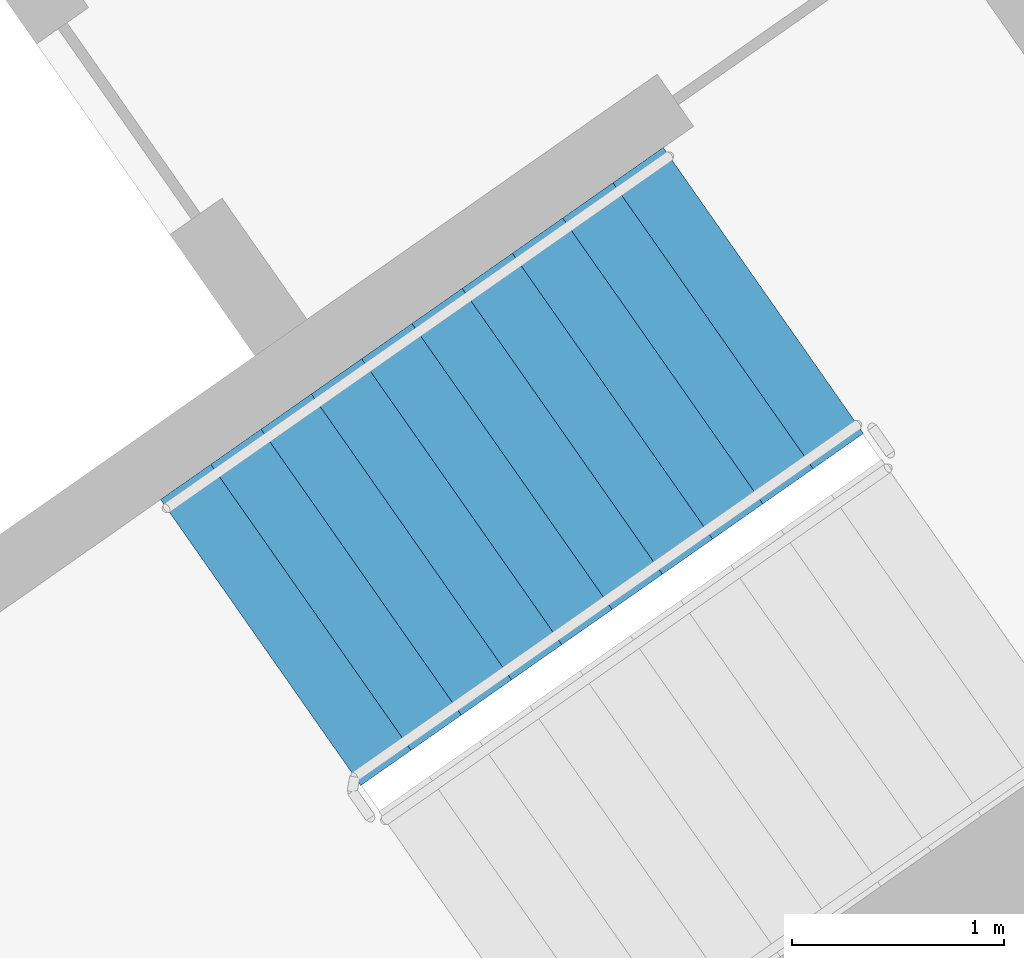
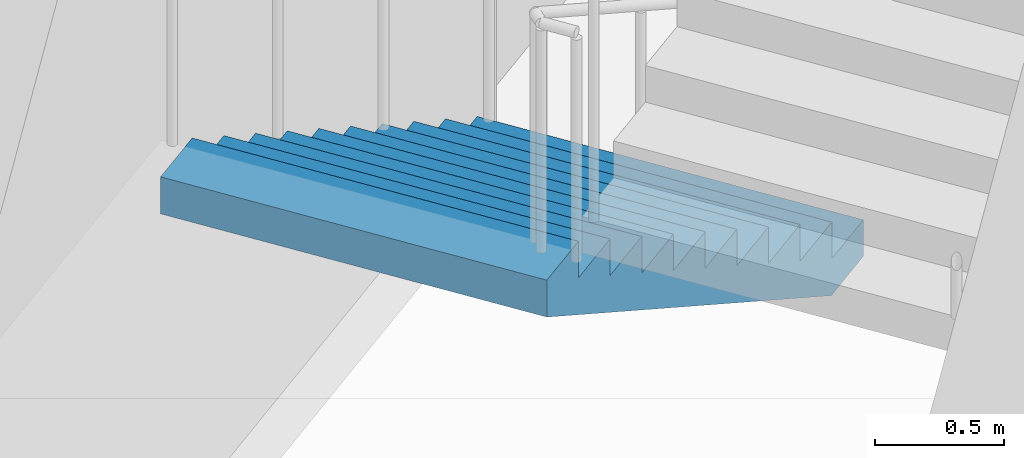
# One storey, part 17 of 30: 1 stair flight, 1 element without a shape of its own.
"""IFC4 building model written with IfcOpenShell, lengths in metres."""

from ifc_helpers import new_model, si_unit, direction, frame, origin, place, context, subcontext, project, spatial, faceted_brep, material, type_object, element, aggregate, save


model = new_model("IFC4")

# Units and contexts
model_context = context("Model", 3, precision=1e-05, world=origin(), true_north=direction((0.0, 1.0)))
body_context = subcontext(model_context, "Body", "Model", "MODEL_VIEW")
ifc_project = project(units=[si_unit("LENGTHUNIT", "METRE"), si_unit("AREAUNIT", "SQUARE_METRE"), si_unit("VOLUMEUNIT", "CUBIC_METRE"), si_unit("PLANEANGLEUNIT", "RADIAN"), si_unit("MASSUNIT", "GRAM", prefix="KILO")], contexts=[model_context])

# Site, building, storey
site_placement = place(None, origin())
site = spatial("IfcSite", under=ifc_project, at=site_placement, CompositionType="ELEMENT")
building_placement = place(site_placement, origin())
building = spatial("IfcBuilding", under=site, at=building_placement, Name="Qamariyya Broadcast Tower", CompositionType="ELEMENT")
storey_placement = place(building_placement, frame((0.0, 0.0, 102.5)))
storey = spatial("IfcBuildingStorey", under=building, at=storey_placement, Name="L22", CompositionType="ELEMENT", Elevation=102.5)

# Stair, stair flight
ifc_material = material(Name="Concrete C50/60", Category="concrete")
stair_type = type_object("IfcStairType", Name="Exit stair 22 risers of 173 mm", PredefinedType="HALF_TURN_STAIR", material=ifc_material)
stair_placement = place(storey_placement, origin())
stair = element("IfcStair", 1, at=stair_placement, inside=storey, type_object=stair_type, Name="L22 Stair E1", PredefinedType="HALF_TURN_STAIR")
stair_flight_type = type_object("IfcStairFlightType", Name="Exit stair flight 11 risers of 173 mm", PredefinedType="STRAIGHT", material=ifc_material)
stair_flight_placement = place(storey_placement, frame((46.036376953125, -55.508056640625, 0.0), z_axis=(0.0, 0.0, 1.0), x_axis=(-0.819152044289, -0.573576436351, 0.0)))
stair_flight = element("IfcStairFlight", 2, at=stair_flight_placement, type_object=stair_flight_type, Name="ST-E1 flight 1", NumberOfRisers=11, NumberOfTreads=10, PredefinedType="STRAIGHT", RiserHeight=0.172727273, TreadLength=0.29, context=body_context, shape_type="Brep", body=[
    faceted_brep([(0.0, 0.824951171875, 0.0), (0.0, 0.824951171875, 0.172607421875), (0.2900390625, 0.824951171875, 0.172607421875), (0.2900390625, 0.824951171875, 0.345458984375), (0.580078125, 0.824951171875, 0.345458984375), (0.580078125, 0.824951171875, 0.51806640625), (0.8701171875, 0.824951171875, 0.51806640625), (0.8701171875, 0.824951171875, 0.69091796875), (1.159912109375, 0.824951171875, 0.69091796875), (1.159912109375, 0.824951171875, 0.863525390625), (1.449951171875, 0.824951171875, 0.863525390625), (1.449951171875, 0.824951171875, 1.036376953125), (1.739990234375, 0.824951171875, 1.036376953125), (1.739990234375, 0.824951171875, 1.208984375), (2.030029296875, 0.824951171875, 1.208984375), (2.030029296875, 0.824951171875, 1.3818359375), (2.320068359375, 0.824951171875, 1.3818359375), (2.320068359375, 0.824951171875, 1.554443359375), (2.610107421875, 0.824951171875, 1.554443359375), (2.610107421875, 0.824951171875, 1.727294921875), (2.89990234375, 0.824951171875, 1.727294921875), (2.89990234375, 0.824951171875, 1.552734375), (0.29296875, 0.824951171875, 0.0), (0.29296875, -0.824951171875, 0.0), (2.89990234375, -0.824951171875, 1.552734375), (2.89990234375, -0.824951171875, 1.727294921875), (2.610107421875, -0.824951171875, 1.727294921875), (2.610107421875, -0.824951171875, 1.554443359375), (2.320068359375, -0.824951171875, 1.554443359375), (2.320068359375, -0.824951171875, 1.3818359375), (2.030029296875, -0.824951171875, 1.3818359375), (2.030029296875, -0.824951171875, 1.208984375), (1.739990234375, -0.824951171875, 1.208984375), (1.739990234375, -0.824951171875, 1.036376953125), (1.449951171875, -0.824951171875, 1.036376953125), (1.449951171875, -0.824951171875, 0.863525390625), (1.159912109375, -0.824951171875, 0.863525390625), (1.159912109375, -0.824951171875, 0.69091796875), (0.8701171875, -0.824951171875, 0.69091796875), (0.8701171875, -0.824951171875, 0.51806640625), (0.580078125, -0.824951171875, 0.51806640625), (0.580078125, -0.824951171875, 0.345458984375), (0.2900390625, -0.824951171875, 0.345458984375), (0.2900390625, -0.824951171875, 0.172607421875), (0.0, -0.824951171875, 0.172607421875), (0.0, -0.824951171875, 0.0), (0.0, 0.10009765625, 0.0), (0.0, 0.086669921875, 0.0), (0.0, 0.0732421875, 0.0), (0.0, 0.06005859375, 0.0), (0.0, 0.046630859375, 0.0), (0.0, 0.033447265625, 0.0), (0.0, 0.02001953125, 0.0), (0.0, 0.006591796875, 0.0), (0.0, -0.006591796875, 0.0), (0.0, -0.02001953125, 0.0), (0.0, -0.033447265625, 0.0), (0.0, -0.046630859375, 0.0), (0.0, -0.06005859375, 0.0), (0.0, -0.0732421875, 0.0), (0.0, -0.086669921875, 0.0), (0.0, -0.10009765625, 0.0), (0.0, -0.10009765625, 0.172607421875), (0.0, -0.086669921875, 0.172607421875), (0.0, -0.0732421875, 0.172607421875), (0.0, -0.06005859375, 0.172607421875), (0.0, -0.046630859375, 0.172607421875), (0.0, -0.033447265625, 0.172607421875), (0.0, -0.02001953125, 0.172607421875), (0.0, -0.006591796875, 0.172607421875), (0.0, 0.006591796875, 0.172607421875), (0.0, 0.02001953125, 0.172607421875), (0.0, 0.033447265625, 0.172607421875), (0.0, 0.046630859375, 0.172607421875), (0.0, 0.06005859375, 0.172607421875), (0.0, 0.0732421875, 0.172607421875), (0.0, 0.086669921875, 0.172607421875), (0.0, 0.10009765625, 0.172607421875), (0.2900390625, -0.10009765625, 0.172607421875), (0.2900390625, -0.086669921875, 0.172607421875), (0.2900390625, -0.0732421875, 0.172607421875), (0.2900390625, -0.06005859375, 0.172607421875), (0.2900390625, -0.046630859375, 0.172607421875), (0.2900390625, -0.033447265625, 0.172607421875), (0.2900390625, -0.02001953125, 0.172607421875), (0.2900390625, -0.006591796875, 0.172607421875), (0.2900390625, 0.006591796875, 0.172607421875), (0.2900390625, 0.02001953125, 0.172607421875), (0.2900390625, 0.033447265625, 0.172607421875), (0.2900390625, 0.046630859375, 0.172607421875), (0.2900390625, 0.06005859375, 0.172607421875), (0.2900390625, 0.0732421875, 0.172607421875), (0.2900390625, 0.086669921875, 0.172607421875), (0.2900390625, 0.10009765625, 0.172607421875), (0.2900390625, -0.10009765625, 0.345458984375), (0.2900390625, -0.086669921875, 0.345458984375), (0.2900390625, -0.0732421875, 0.345458984375), (0.2900390625, -0.06005859375, 0.345458984375), (0.2900390625, -0.046630859375, 0.345458984375), (0.2900390625, -0.033447265625, 0.345458984375), (0.2900390625, -0.02001953125, 0.345458984375), (0.2900390625, -0.006591796875, 0.345458984375), (0.2900390625, 0.006591796875, 0.345458984375), (0.2900390625, 0.02001953125, 0.345458984375), (0.2900390625, 0.033447265625, 0.345458984375), (0.2900390625, 0.046630859375, 0.345458984375), (0.2900390625, 0.06005859375, 0.345458984375), (0.2900390625, 0.0732421875, 0.345458984375), (0.2900390625, 0.086669921875, 0.345458984375), (0.2900390625, 0.10009765625, 0.345458984375), (0.580078125, -0.10009765625, 0.345458984375), (0.580078125, -0.086669921875, 0.345458984375), (0.580078125, -0.0732421875, 0.345458984375), (0.580078125, -0.06005859375, 0.345458984375), (0.580078125, -0.046630859375, 0.345458984375), (0.580078125, -0.033447265625, 0.345458984375), (0.580078125, -0.02001953125, 0.345458984375), (0.580078125, -0.006591796875, 0.345458984375), (0.580078125, 0.006591796875, 0.345458984375), (0.580078125, 0.02001953125, 0.345458984375), (0.580078125, 0.033447265625, 0.345458984375), (0.580078125, 0.046630859375, 0.345458984375), (0.580078125, 0.06005859375, 0.345458984375), (0.580078125, 0.0732421875, 0.345458984375), (0.580078125, 0.086669921875, 0.345458984375), (0.580078125, 0.10009765625, 0.345458984375), (0.580078125, -0.10009765625, 0.51806640625), (0.580078125, -0.086669921875, 0.51806640625), (0.580078125, -0.0732421875, 0.51806640625), (0.580078125, -0.06005859375, 0.51806640625), (0.580078125, -0.046630859375, 0.51806640625), (0.580078125, -0.033447265625, 0.51806640625), (0.580078125, -0.02001953125, 0.51806640625), (0.580078125, -0.006591796875, 0.51806640625), (0.580078125, 0.006591796875, 0.51806640625), (0.580078125, 0.02001953125, 0.51806640625), (0.580078125, 0.033447265625, 0.51806640625), (0.580078125, 0.046630859375, 0.51806640625), (0.580078125, 0.06005859375, 0.51806640625), (0.580078125, 0.0732421875, 0.51806640625), (0.580078125, 0.086669921875, 0.51806640625), (0.580078125, 0.10009765625, 0.51806640625), (0.8701171875, -0.10009765625, 0.51806640625), (0.8701171875, -0.086669921875, 0.51806640625), (0.8701171875, -0.0732421875, 0.51806640625), (0.8701171875, -0.06005859375, 0.51806640625), (0.8701171875, -0.046630859375, 0.51806640625), (0.8701171875, -0.033447265625, 0.51806640625), (0.8701171875, -0.02001953125, 0.51806640625), (0.8701171875, -0.006591796875, 0.51806640625), (0.8701171875, 0.006591796875, 0.51806640625), (0.8701171875, 0.02001953125, 0.51806640625), (0.8701171875, 0.033447265625, 0.51806640625), (0.8701171875, 0.046630859375, 0.51806640625), (0.8701171875, 0.06005859375, 0.51806640625), (0.8701171875, 0.0732421875, 0.51806640625), (0.8701171875, 0.086669921875, 0.51806640625), (0.8701171875, 0.10009765625, 0.51806640625), (0.8701171875, -0.10009765625, 0.69091796875), (0.8701171875, -0.086669921875, 0.69091796875), (0.8701171875, -0.0732421875, 0.69091796875), (0.8701171875, -0.06005859375, 0.69091796875), (0.8701171875, -0.046630859375, 0.69091796875), (0.8701171875, -0.033447265625, 0.69091796875), (0.8701171875, -0.02001953125, 0.69091796875), (0.8701171875, -0.006591796875, 0.69091796875), (0.8701171875, 0.006591796875, 0.69091796875), (0.8701171875, 0.02001953125, 0.69091796875), (0.8701171875, 0.033447265625, 0.69091796875), (0.8701171875, 0.046630859375, 0.69091796875), (0.8701171875, 0.06005859375, 0.69091796875), (0.8701171875, 0.0732421875, 0.69091796875), (0.8701171875, 0.086669921875, 0.69091796875), (0.8701171875, 0.10009765625, 0.69091796875), (1.159912109375, -0.10009765625, 0.69091796875), (1.159912109375, -0.086669921875, 0.69091796875), (1.159912109375, -0.0732421875, 0.69091796875), (1.159912109375, -0.06005859375, 0.69091796875), (1.159912109375, -0.046630859375, 0.69091796875), (1.159912109375, -0.033447265625, 0.69091796875), (1.159912109375, -0.02001953125, 0.69091796875), (1.159912109375, -0.006591796875, 0.69091796875), (1.159912109375, 0.006591796875, 0.69091796875), (1.159912109375, 0.02001953125, 0.69091796875), (1.159912109375, 0.033447265625, 0.69091796875), (1.159912109375, 0.046630859375, 0.69091796875), (1.159912109375, 0.06005859375, 0.69091796875), (1.159912109375, 0.0732421875, 0.69091796875), (1.159912109375, 0.086669921875, 0.69091796875), (1.159912109375, 0.10009765625, 0.69091796875), (1.159912109375, -0.10009765625, 0.863525390625), (1.159912109375, -0.086669921875, 0.863525390625), (1.159912109375, -0.0732421875, 0.863525390625), (1.159912109375, -0.06005859375, 0.863525390625), (1.159912109375, -0.046630859375, 0.863525390625), (1.159912109375, -0.033447265625, 0.863525390625), (1.159912109375, -0.02001953125, 0.863525390625), (1.159912109375, -0.006591796875, 0.863525390625), (1.159912109375, 0.006591796875, 0.863525390625), (1.159912109375, 0.02001953125, 0.863525390625), (1.159912109375, 0.033447265625, 0.863525390625), (1.159912109375, 0.046630859375, 0.863525390625), (1.159912109375, 0.06005859375, 0.863525390625), (1.159912109375, 0.0732421875, 0.863525390625), (1.159912109375, 0.086669921875, 0.863525390625), (1.159912109375, 0.10009765625, 0.863525390625), (1.449951171875, -0.10009765625, 0.863525390625), (1.449951171875, -0.086669921875, 0.863525390625), (1.449951171875, -0.0732421875, 0.863525390625), (1.449951171875, -0.06005859375, 0.863525390625), (1.449951171875, -0.046630859375, 0.863525390625), (1.449951171875, -0.033447265625, 0.863525390625), (1.449951171875, -0.02001953125, 0.863525390625), (1.449951171875, -0.006591796875, 0.863525390625), (1.449951171875, 0.006591796875, 0.863525390625), (1.449951171875, 0.02001953125, 0.863525390625), (1.449951171875, 0.033447265625, 0.863525390625), (1.449951171875, 0.046630859375, 0.863525390625), (1.449951171875, 0.06005859375, 0.863525390625), (1.449951171875, 0.0732421875, 0.863525390625), (1.449951171875, 0.086669921875, 0.863525390625), (1.449951171875, 0.10009765625, 0.863525390625), (1.449951171875, -0.10009765625, 1.036376953125), (1.449951171875, -0.086669921875, 1.036376953125), (1.449951171875, -0.0732421875, 1.036376953125), (1.449951171875, -0.06005859375, 1.036376953125), (1.449951171875, -0.046630859375, 1.036376953125), (1.449951171875, -0.033447265625, 1.036376953125), (1.449951171875, -0.02001953125, 1.036376953125), (1.449951171875, -0.006591796875, 1.036376953125), (1.449951171875, 0.006591796875, 1.036376953125), (1.449951171875, 0.02001953125, 1.036376953125), (1.449951171875, 0.033447265625, 1.036376953125), (1.449951171875, 0.046630859375, 1.036376953125), (1.449951171875, 0.06005859375, 1.036376953125), (1.449951171875, 0.0732421875, 1.036376953125), (1.449951171875, 0.086669921875, 1.036376953125), (1.449951171875, 0.10009765625, 1.036376953125), (1.739990234375, -0.10009765625, 1.036376953125), (1.739990234375, -0.086669921875, 1.036376953125), (1.739990234375, -0.0732421875, 1.036376953125), (1.739990234375, -0.06005859375, 1.036376953125), (1.739990234375, -0.046630859375, 1.036376953125), (1.739990234375, -0.033447265625, 1.036376953125), (1.739990234375, -0.02001953125, 1.036376953125), (1.739990234375, -0.006591796875, 1.036376953125), (1.739990234375, 0.006591796875, 1.036376953125), (1.739990234375, 0.02001953125, 1.036376953125), (1.739990234375, 0.033447265625, 1.036376953125), (1.739990234375, 0.046630859375, 1.036376953125), (1.739990234375, 0.06005859375, 1.036376953125), (1.739990234375, 0.0732421875, 1.036376953125), (1.739990234375, 0.086669921875, 1.036376953125), (1.739990234375, 0.10009765625, 1.036376953125), (1.739990234375, -0.10009765625, 1.208984375), (1.739990234375, -0.086669921875, 1.208984375), (1.739990234375, -0.0732421875, 1.208984375), (1.739990234375, -0.06005859375, 1.208984375), (1.739990234375, -0.046630859375, 1.208984375), (1.739990234375, -0.033447265625, 1.208984375), (1.739990234375, -0.02001953125, 1.208984375), (1.739990234375, -0.006591796875, 1.208984375), (1.739990234375, 0.006591796875, 1.208984375), (1.739990234375, 0.02001953125, 1.208984375), (1.739990234375, 0.033447265625, 1.208984375), (1.739990234375, 0.046630859375, 1.208984375), (1.739990234375, 0.06005859375, 1.208984375), (1.739990234375, 0.0732421875, 1.208984375), (1.739990234375, 0.086669921875, 1.208984375), (1.739990234375, 0.10009765625, 1.208984375), (2.030029296875, -0.10009765625, 1.208984375), (2.030029296875, -0.086669921875, 1.208984375), (2.030029296875, -0.0732421875, 1.208984375), (2.030029296875, -0.06005859375, 1.208984375), (2.030029296875, -0.046630859375, 1.208984375), (2.030029296875, -0.033447265625, 1.208984375), (2.030029296875, -0.02001953125, 1.208984375), (2.030029296875, -0.006591796875, 1.208984375), (2.030029296875, 0.006591796875, 1.208984375), (2.030029296875, 0.02001953125, 1.208984375), (2.030029296875, 0.033447265625, 1.208984375), (2.030029296875, 0.046630859375, 1.208984375), (2.030029296875, 0.06005859375, 1.208984375), (2.030029296875, 0.0732421875, 1.208984375), (2.030029296875, 0.086669921875, 1.208984375), (2.030029296875, 0.10009765625, 1.208984375), (2.030029296875, -0.10009765625, 1.3818359375), (2.030029296875, -0.086669921875, 1.3818359375), (2.030029296875, -0.0732421875, 1.3818359375), (2.030029296875, -0.06005859375, 1.3818359375), (2.030029296875, -0.046630859375, 1.3818359375), (2.030029296875, -0.033447265625, 1.3818359375), (2.030029296875, -0.02001953125, 1.3818359375), (2.030029296875, -0.006591796875, 1.3818359375), (2.030029296875, 0.006591796875, 1.3818359375), (2.030029296875, 0.02001953125, 1.3818359375), (2.030029296875, 0.033447265625, 1.3818359375), (2.030029296875, 0.046630859375, 1.3818359375), (2.030029296875, 0.06005859375, 1.3818359375), (2.030029296875, 0.0732421875, 1.3818359375), (2.030029296875, 0.086669921875, 1.3818359375), (2.030029296875, 0.10009765625, 1.3818359375), (2.320068359375, -0.10009765625, 1.3818359375), (2.320068359375, -0.086669921875, 1.3818359375), (2.320068359375, -0.0732421875, 1.3818359375), (2.320068359375, -0.06005859375, 1.3818359375), (2.320068359375, -0.046630859375, 1.3818359375), (2.320068359375, -0.033447265625, 1.3818359375), (2.320068359375, -0.02001953125, 1.3818359375), (2.320068359375, -0.006591796875, 1.3818359375), (2.320068359375, 0.006591796875, 1.3818359375), (2.320068359375, 0.02001953125, 1.3818359375), (2.320068359375, 0.033447265625, 1.3818359375), (2.320068359375, 0.046630859375, 1.3818359375), (2.320068359375, 0.06005859375, 1.3818359375), (2.320068359375, 0.0732421875, 1.3818359375), (2.320068359375, 0.086669921875, 1.3818359375), (2.320068359375, 0.10009765625, 1.3818359375), (2.320068359375, -0.10009765625, 1.554443359375), (2.320068359375, -0.086669921875, 1.554443359375), (2.320068359375, -0.0732421875, 1.554443359375), (2.320068359375, -0.06005859375, 1.554443359375), (2.320068359375, -0.046630859375, 1.554443359375), (2.320068359375, -0.033447265625, 1.554443359375), (2.320068359375, -0.02001953125, 1.554443359375), (2.320068359375, -0.006591796875, 1.554443359375), (2.320068359375, 0.006591796875, 1.554443359375), (2.320068359375, 0.02001953125, 1.554443359375), (2.320068359375, 0.033447265625, 1.554443359375), (2.320068359375, 0.046630859375, 1.554443359375), (2.320068359375, 0.06005859375, 1.554443359375), (2.320068359375, 0.0732421875, 1.554443359375), (2.320068359375, 0.086669921875, 1.554443359375), (2.320068359375, 0.10009765625, 1.554443359375), (2.610107421875, -0.10009765625, 1.554443359375), (2.610107421875, -0.086669921875, 1.554443359375), (2.610107421875, -0.0732421875, 1.554443359375), (2.610107421875, -0.06005859375, 1.554443359375), (2.610107421875, -0.046630859375, 1.554443359375), (2.610107421875, -0.033447265625, 1.554443359375), (2.610107421875, -0.02001953125, 1.554443359375), (2.610107421875, -0.006591796875, 1.554443359375), (2.610107421875, 0.006591796875, 1.554443359375), (2.610107421875, 0.02001953125, 1.554443359375), (2.610107421875, 0.033447265625, 1.554443359375), (2.610107421875, 0.046630859375, 1.554443359375), (2.610107421875, 0.06005859375, 1.554443359375), (2.610107421875, 0.0732421875, 1.554443359375), (2.610107421875, 0.086669921875, 1.554443359375), (2.610107421875, 0.10009765625, 1.554443359375), (2.610107421875, -0.10009765625, 1.727294921875), (2.610107421875, -0.086669921875, 1.727294921875), (2.610107421875, -0.0732421875, 1.727294921875), (2.610107421875, -0.06005859375, 1.727294921875), (2.610107421875, -0.046630859375, 1.727294921875), (2.610107421875, -0.033447265625, 1.727294921875), (2.610107421875, -0.02001953125, 1.727294921875), (2.610107421875, -0.006591796875, 1.727294921875), (2.610107421875, 0.006591796875, 1.727294921875), (2.610107421875, 0.02001953125, 1.727294921875), (2.610107421875, 0.033447265625, 1.727294921875), (2.610107421875, 0.046630859375, 1.727294921875), (2.610107421875, 0.06005859375, 1.727294921875), (2.610107421875, 0.0732421875, 1.727294921875), (2.610107421875, 0.086669921875, 1.727294921875), (2.610107421875, 0.10009765625, 1.727294921875), (2.89990234375, -0.10009765625, 1.727294921875), (2.89990234375, -0.086669921875, 1.727294921875), (2.89990234375, -0.0732421875, 1.727294921875), (2.89990234375, -0.06005859375, 1.727294921875), (2.89990234375, -0.046630859375, 1.727294921875), (2.89990234375, -0.033447265625, 1.727294921875), (2.89990234375, -0.02001953125, 1.727294921875), (2.89990234375, -0.006591796875, 1.727294921875), (2.89990234375, 0.006591796875, 1.727294921875), (2.89990234375, 0.02001953125, 1.727294921875), (2.89990234375, 0.033447265625, 1.727294921875), (2.89990234375, 0.046630859375, 1.727294921875), (2.89990234375, 0.06005859375, 1.727294921875), (2.89990234375, 0.0732421875, 1.727294921875), (2.89990234375, 0.086669921875, 1.727294921875), (2.89990234375, 0.10009765625, 1.727294921875), (2.89990234375, -0.10009765625, 1.552734375), (2.89990234375, -0.086669921875, 1.552734375), (2.89990234375, -0.0732421875, 1.552734375), (2.89990234375, -0.06005859375, 1.552734375), (2.89990234375, -0.046630859375, 1.552734375), (2.89990234375, -0.033447265625, 1.552734375), (2.89990234375, -0.02001953125, 1.552734375), (2.89990234375, -0.006591796875, 1.552734375), (2.89990234375, 0.006591796875, 1.552734375), (2.89990234375, 0.02001953125, 1.552734375), (2.89990234375, 0.033447265625, 1.552734375), (2.89990234375, 0.046630859375, 1.552734375), (2.89990234375, 0.06005859375, 1.552734375), (2.89990234375, 0.0732421875, 1.552734375), (2.89990234375, 0.086669921875, 1.552734375), (2.89990234375, 0.10009765625, 1.552734375), (0.29296875, -0.10009765625, 0.0), (0.29296875, -0.086669921875, 0.0), (0.29296875, -0.0732421875, 0.0), (0.29296875, -0.06005859375, 0.0), (0.29296875, -0.046630859375, 0.0), (0.29296875, -0.033447265625, 0.0), (0.29296875, -0.02001953125, 0.0), (0.29296875, -0.006591796875, 0.0), (0.29296875, 0.006591796875, 0.0), (0.29296875, 0.02001953125, 0.0), (0.29296875, 0.033447265625, 0.0), (0.29296875, 0.046630859375, 0.0), (0.29296875, 0.06005859375, 0.0), (0.29296875, 0.0732421875, 0.0), (0.29296875, 0.086669921875, 0.0), (0.29296875, 0.10009765625, 0.0)], [[[0, 1, 2, 3, 4, 5, 6, 7, 8, 9, 10, 11, 12, 13, 14, 15, 16, 17, 18, 19, 20, 21, 22]], [[23, 24, 25, 26, 27, 28, 29, 30, 31, 32, 33, 34, 35, 36, 37, 38, 39, 40, 41, 42, 43, 44, 45]], [[0, 46, 47, 48, 49, 50, 51, 52, 53, 54, 55, 56, 57, 58, 59, 60, 61, 45, 44, 62, 63, 64, 65, 66, 67, 68, 69, 70, 71, 72, 73, 74, 75, 76, 77, 1]], [[1, 77, 76, 75, 74, 73, 72, 71, 70, 69, 68, 67, 66, 65, 64, 63, 62, 44, 43, 78, 79, 80, 81, 82, 83, 84, 85, 86, 87, 88, 89, 90, 91, 92, 93, 2]], [[2, 93, 92, 91, 90, 89, 88, 87, 86, 85, 84, 83, 82, 81, 80, 79, 78, 43, 42, 94, 95, 96, 97, 98, 99, 100, 101, 102, 103, 104, 105, 106, 107, 108, 109, 3]], [[3, 109, 108, 107, 106, 105, 104, 103, 102, 101, 100, 99, 98, 97, 96, 95, 94, 42, 41, 110, 111, 112, 113, 114, 115, 116, 117, 118, 119, 120, 121, 122, 123, 124, 125, 4]], [[4, 125, 124, 123, 122, 121, 120, 119, 118, 117, 116, 115, 114, 113, 112, 111, 110, 41, 40, 126, 127, 128, 129, 130, 131, 132, 133, 134, 135, 136, 137, 138, 139, 140, 141, 5]], [[5, 141, 140, 139, 138, 137, 136, 135, 134, 133, 132, 131, 130, 129, 128, 127, 126, 40, 39, 142, 143, 144, 145, 146, 147, 148, 149, 150, 151, 152, 153, 154, 155, 156, 157, 6]], [[6, 157, 156, 155, 154, 153, 152, 151, 150, 149, 148, 147, 146, 145, 144, 143, 142, 39, 38, 158, 159, 160, 161, 162, 163, 164, 165, 166, 167, 168, 169, 170, 171, 172, 173, 7]], [[7, 173, 172, 171, 170, 169, 168, 167, 166, 165, 164, 163, 162, 161, 160, 159, 158, 38, 37, 174, 175, 176, 177, 178, 179, 180, 181, 182, 183, 184, 185, 186, 187, 188, 189, 8]], [[8, 189, 188, 187, 186, 185, 184, 183, 182, 181, 180, 179, 178, 177, 176, 175, 174, 37, 36, 190, 191, 192, 193, 194, 195, 196, 197, 198, 199, 200, 201, 202, 203, 204, 205, 9]], [[9, 205, 204, 203, 202, 201, 200, 199, 198, 197, 196, 195, 194, 193, 192, 191, 190, 36, 35, 206, 207, 208, 209, 210, 211, 212, 213, 214, 215, 216, 217, 218, 219, 220, 221, 10]], [[10, 221, 220, 219, 218, 217, 216, 215, 214, 213, 212, 211, 210, 209, 208, 207, 206, 35, 34, 222, 223, 224, 225, 226, 227, 228, 229, 230, 231, 232, 233, 234, 235, 236, 237, 11]], [[11, 237, 236, 235, 234, 233, 232, 231, 230, 229, 228, 227, 226, 225, 224, 223, 222, 34, 33, 238, 239, 240, 241, 242, 243, 244, 245, 246, 247, 248, 249, 250, 251, 252, 253, 12]], [[12, 253, 252, 251, 250, 249, 248, 247, 246, 245, 244, 243, 242, 241, 240, 239, 238, 33, 32, 254, 255, 256, 257, 258, 259, 260, 261, 262, 263, 264, 265, 266, 267, 268, 269, 13]], [[13, 269, 268, 267, 266, 265, 264, 263, 262, 261, 260, 259, 258, 257, 256, 255, 254, 32, 31, 270, 271, 272, 273, 274, 275, 276, 277, 278, 279, 280, 281, 282, 283, 284, 285, 14]], [[14, 285, 284, 283, 282, 281, 280, 279, 278, 277, 276, 275, 274, 273, 272, 271, 270, 31, 30, 286, 287, 288, 289, 290, 291, 292, 293, 294, 295, 296, 297, 298, 299, 300, 301, 15]], [[15, 301, 300, 299, 298, 297, 296, 295, 294, 293, 292, 291, 290, 289, 288, 287, 286, 30, 29, 302, 303, 304, 305, 306, 307, 308, 309, 310, 311, 312, 313, 314, 315, 316, 317, 16]], [[16, 317, 316, 315, 314, 313, 312, 311, 310, 309, 308, 307, 306, 305, 304, 303, 302, 29, 28, 318, 319, 320, 321, 322, 323, 324, 325, 326, 327, 328, 329, 330, 331, 332, 333, 17]], [[17, 333, 332, 331, 330, 329, 328, 327, 326, 325, 324, 323, 322, 321, 320, 319, 318, 28, 27, 334, 335, 336, 337, 338, 339, 340, 341, 342, 343, 344, 345, 346, 347, 348, 349, 18]], [[18, 349, 348, 347, 346, 345, 344, 343, 342, 341, 340, 339, 338, 337, 336, 335, 334, 27, 26, 350, 351, 352, 353, 354, 355, 356, 357, 358, 359, 360, 361, 362, 363, 364, 365, 19]], [[19, 365, 364, 363, 362, 361, 360, 359, 358, 357, 356, 355, 354, 353, 352, 351, 350, 26, 25, 366, 367, 368, 369, 370, 371, 372, 373, 374, 375, 376, 377, 378, 379, 380, 381, 20]], [[20, 381, 380, 379, 378, 377, 376, 375, 374, 373, 372, 371, 370, 369, 368, 367, 366, 25, 24, 382, 383, 384, 385, 386, 387, 388, 389, 390, 391, 392, 393, 394, 395, 396, 397, 21]], [[21, 397, 396, 395, 394, 393, 392, 391, 390, 389, 388, 387, 386, 385, 384, 383, 382, 24, 23, 398, 399, 400, 401, 402, 403, 404, 405, 406, 407, 408, 409, 410, 411, 412, 413, 22]], [[22, 413, 412, 411, 410, 409, 408, 407, 406, 405, 404, 403, 402, 401, 400, 399, 398, 23, 45, 61, 60, 59, 58, 57, 56, 55, 54, 53, 52, 51, 50, 49, 48, 47, 46, 0]]]),
])
aggregate(stair, [stair_flight])

save(model, "model.ifc")
